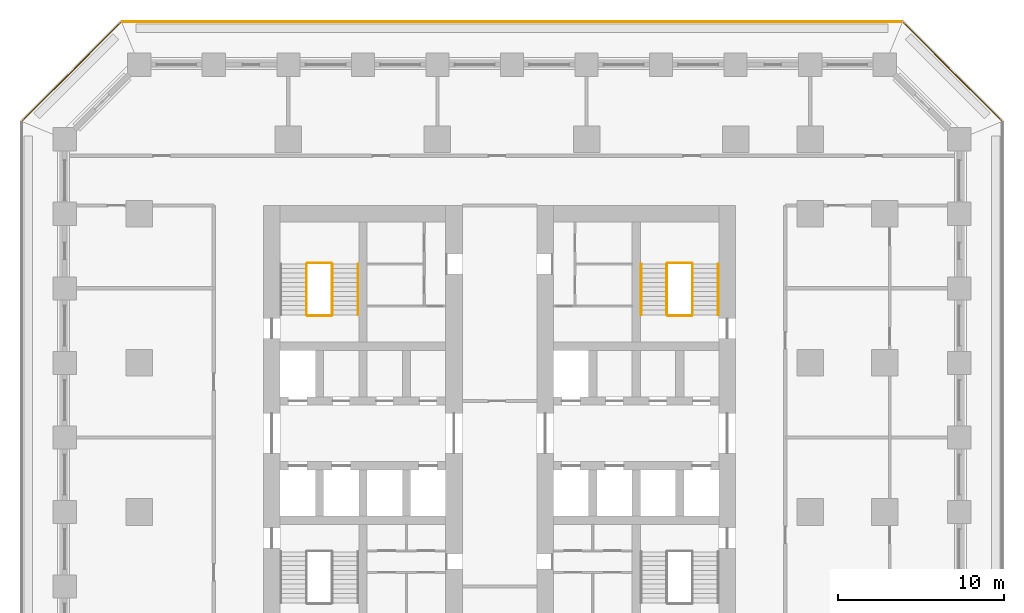
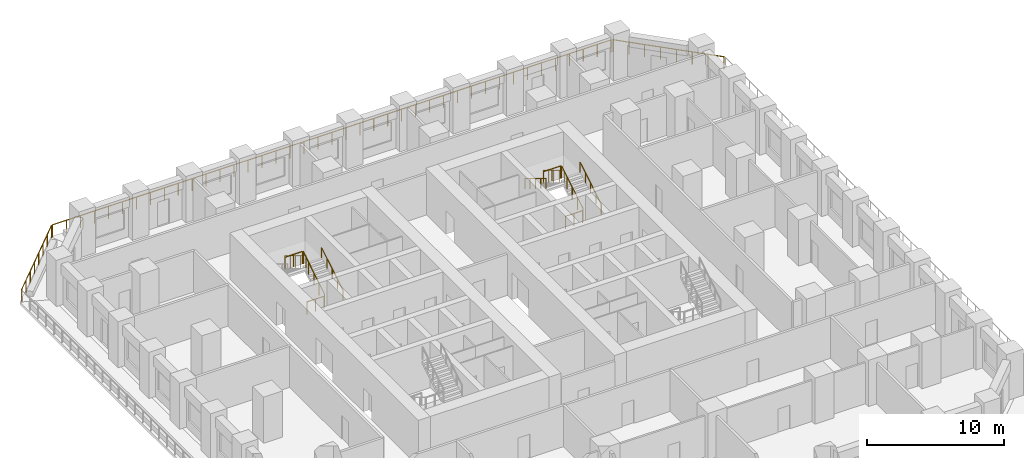
# One storey, part 10 of 11: 14 railings.
"""IFC4 building model written with IfcOpenShell, lengths in metres."""

from ifc_helpers import new_model, si_unit, direction, frame, origin, origin_2d, place, context, subcontext, project, spatial, circle, extrude, material, type_object, element, save


model = new_model("IFC4")

# Units and contexts
model_context = context("Model", 3, precision=1e-05, world=origin(), true_north=direction((0.0, 1.0)))
body_context = subcontext(model_context, "Body", "Model", "MODEL_VIEW")
ifc_project = project(units=[si_unit("LENGTHUNIT", "METRE"), si_unit("AREAUNIT", "SQUARE_METRE"), si_unit("VOLUMEUNIT", "CUBIC_METRE"), si_unit("PLANEANGLEUNIT", "RADIAN"), si_unit("MASSUNIT", "GRAM", prefix="KILO")], contexts=[model_context])

# Site, building, storey
site_placement = place(None, origin())
site = spatial("IfcSite", under=ifc_project, at=site_placement, CompositionType="ELEMENT")
building_placement = place(site_placement, origin())
building = spatial("IfcBuilding", under=site, at=building_placement, Name="Corbel Stack Research Tower", CompositionType="ELEMENT")
storey_placement = place(building_placement, frame((0.0, 0.0, 62.39990234375)))
storey = spatial("IfcBuildingStorey", under=building, at=storey_placement, Name="L14", CompositionType="ELEMENT", Elevation=62.39990234375)

# Railings
ifc_material_1 = material(Name="Steel S355", Category="steel")
railing_type_1 = type_object("IfcRailingType", Name="Stair guard 1100", PredefinedType="GUARDRAIL", material=ifc_material_1)
railing_1_placement = place(storey_placement, frame((-6.35009765625, 11.89990234375, 0.1708984375)))
element("IfcRailing", 1, at=railing_1_placement, inside=storey, type_object=railing_type_1, Name="L14 ST-W2 stair guard 1", PredefinedType="GUARDRAIL", context=body_context, shape_type="SweptSolid", body=[
    extrude(circle(Radius=0.02392578125, at=origin_2d()), frame((0.0, 0.0, 1.076171875), z_axis=(0.0, 0.853666305674, 0.52082035152), x_axis=(-1.0, 0.0, 0.0)), (0.0, 0.0, 1.0), 3.608154296875),
    extrude(circle(Radius=0.02099609375, at=origin_2d()), origin(), (0.0, 0.0, 1.0), 1.052001953125),
    extrude(circle(Radius=0.02099609375, at=origin_2d()), frame((0.0, 0.77001953125, 0.4697265625)), (0.0, 0.0, 1.0), 1.052001953125),
    extrude(circle(Radius=0.02099609375, at=origin_2d()), frame((0.0, 1.5400390625, 0.939453125)), (0.0, 0.0, 1.0), 1.052001953125),
    extrude(circle(Radius=0.02099609375, at=origin_2d()), frame((0.0, 2.31005859375, 1.409423828125)), (0.0, 0.0, 1.0), 1.052001953125),
    extrude(circle(Radius=0.02099609375, at=origin_2d()), frame((0.0, 3.080078125, 1.879150390625)), (0.0, 0.0, 1.0), 1.052001953125),
])
railing_2_placement = place(storey_placement, frame((-6.39990234375, 15.030029296875, 2.050048828125)))
element("IfcRailing", 2, at=railing_2_placement, inside=storey, type_object=railing_type_1, Name="L14 ST-W2 stair guard 2", PredefinedType="GUARDRAIL", context=body_context, shape_type="SweptSolid", body=[
    extrude(circle(Radius=0.02392578125, at=origin_2d()), frame((0.0, 0.0, 1.076171875), z_axis=(-1.0, 0.0, 0.0), x_axis=(0.0, -1.0, 0.0)), (0.0, 0.0, 1.0), 1.4501953125),
    extrude(circle(Radius=0.02099609375, at=origin_2d()), origin(), (0.0, 0.0, 1.0), 1.052001953125),
    extrude(circle(Radius=0.02099609375, at=origin_2d()), frame((-0.72509765625, 0.0, 0.0)), (0.0, 0.0, 1.0), 1.052001953125),
    extrude(circle(Radius=0.02099609375, at=origin_2d()), frame((-1.4501953125, 0.0, 0.0)), (0.0, 0.0, 1.0), 1.052001953125),
])
railing_3_placement = place(storey_placement, frame((-7.89990234375, 14.97998046875, 2.220947265625)))
element("IfcRailing", 3, at=railing_3_placement, inside=storey, type_object=railing_type_1, Name="L14 ST-W2 stair guard 3", PredefinedType="GUARDRAIL", context=body_context, shape_type="SweptSolid", body=[
    extrude(circle(Radius=0.02392578125, at=origin_2d()), frame((0.0, 0.0, 1.076171875), z_axis=(0.0, -0.853666305674, 0.52082035152), x_axis=(1.0, 0.0, 0.0)), (0.0, 0.0, 1.0), 3.608154296875),
    extrude(circle(Radius=0.02099609375, at=origin_2d()), origin(), (0.0, 0.0, 1.0), 1.052001953125),
    extrude(circle(Radius=0.02099609375, at=origin_2d()), frame((0.0, -0.77001953125, 0.4697265625)), (0.0, 0.0, 1.0), 1.052001953125),
    extrude(circle(Radius=0.02099609375, at=origin_2d()), frame((0.0, -1.5400390625, 0.939453125)), (0.0, 0.0, 1.0), 1.052001953125),
    extrude(circle(Radius=0.02099609375, at=origin_2d()), frame((0.0, -2.31005859375, 1.409423828125)), (0.0, 0.0, 1.0), 1.052001953125),
    extrude(circle(Radius=0.02099609375, at=origin_2d()), frame((0.0, -3.080078125, 1.879150390625)), (0.0, 0.0, 1.0), 1.052001953125),
])
railing_4_placement = place(storey_placement, frame((-6.39990234375, 11.85009765625, 0.0)))
element("IfcRailing", 4, at=railing_4_placement, inside=storey, type_object=railing_type_1, Name="L14 ST-W2 stair guard 4", PredefinedType="GUARDRAIL", context=body_context, shape_type="SweptSolid", body=[
    extrude(circle(Radius=0.02392578125, at=origin_2d()), frame((0.0, 0.0, 1.076171875), z_axis=(-1.0, 0.0, 0.0), x_axis=(0.0, -1.0, 0.0)), (0.0, 0.0, 1.0), 1.4501953125),
    extrude(circle(Radius=0.02099609375, at=origin_2d()), origin(), (0.0, 0.0, 1.0), 1.052001953125),
    extrude(circle(Radius=0.02099609375, at=origin_2d()), frame((-0.72509765625, 0.0, 0.0)), (0.0, 0.0, 1.0), 1.052001953125),
    extrude(circle(Radius=0.02099609375, at=origin_2d()), frame((-1.4501953125, 0.0, 0.0)), (0.0, 0.0, 1.0), 1.052001953125),
])
railing_5_placement = place(storey_placement, frame((15.39990234375, 11.89990234375, 0.1708984375)))
element("IfcRailing", 5, at=railing_5_placement, inside=storey, type_object=railing_type_1, Name="L14 ST-E2 stair guard 1", PredefinedType="GUARDRAIL", context=body_context, shape_type="SweptSolid", body=[
    extrude(circle(Radius=0.02392578125, at=origin_2d()), frame((0.0, 0.0, 1.076171875), z_axis=(0.0, 0.853666305674, 0.52082035152), x_axis=(-1.0, 0.0, 0.0)), (0.0, 0.0, 1.0), 3.608154296875),
    extrude(circle(Radius=0.02099609375, at=origin_2d()), origin(), (0.0, 0.0, 1.0), 1.052001953125),
    extrude(circle(Radius=0.02099609375, at=origin_2d()), frame((0.0, 0.77001953125, 0.4697265625)), (0.0, 0.0, 1.0), 1.052001953125),
    extrude(circle(Radius=0.02099609375, at=origin_2d()), frame((0.0, 1.5400390625, 0.939453125)), (0.0, 0.0, 1.0), 1.052001953125),
    extrude(circle(Radius=0.02099609375, at=origin_2d()), frame((0.0, 2.31005859375, 1.409423828125)), (0.0, 0.0, 1.0), 1.052001953125),
    extrude(circle(Radius=0.02099609375, at=origin_2d()), frame((0.0, 3.080078125, 1.879150390625)), (0.0, 0.0, 1.0), 1.052001953125),
])
railing_6_placement = place(storey_placement, frame((15.35009765625, 15.030029296875, 2.050048828125)))
element("IfcRailing", 6, at=railing_6_placement, inside=storey, type_object=railing_type_1, Name="L14 ST-E2 stair guard 2", PredefinedType="GUARDRAIL", context=body_context, shape_type="SweptSolid", body=[
    extrude(circle(Radius=0.02392578125, at=origin_2d()), frame((0.0, 0.0, 1.076171875), z_axis=(-1.0, 0.0, 0.0), x_axis=(0.0, -1.0, 0.0)), (0.0, 0.0, 1.0), 1.4501953125),
    extrude(circle(Radius=0.02099609375, at=origin_2d()), origin(), (0.0, 0.0, 1.0), 1.052001953125),
    extrude(circle(Radius=0.02099609375, at=origin_2d()), frame((-0.72509765625, 0.0, 0.0)), (0.0, 0.0, 1.0), 1.052001953125),
    extrude(circle(Radius=0.02099609375, at=origin_2d()), frame((-1.4501953125, 0.0, 0.0)), (0.0, 0.0, 1.0), 1.052001953125),
])
railing_7_placement = place(storey_placement, frame((13.85009765625, 14.97998046875, 2.220947265625)))
element("IfcRailing", 7, at=railing_7_placement, inside=storey, type_object=railing_type_1, Name="L14 ST-E2 stair guard 3", PredefinedType="GUARDRAIL", context=body_context, shape_type="SweptSolid", body=[
    extrude(circle(Radius=0.02392578125, at=origin_2d()), frame((0.0, 0.0, 1.076171875), z_axis=(0.0, -0.853666305674, 0.52082035152), x_axis=(1.0, 0.0, 0.0)), (0.0, 0.0, 1.0), 3.608154296875),
    extrude(circle(Radius=0.02099609375, at=origin_2d()), origin(), (0.0, 0.0, 1.0), 1.052001953125),
    extrude(circle(Radius=0.02099609375, at=origin_2d()), frame((0.0, -0.77001953125, 0.4697265625)), (0.0, 0.0, 1.0), 1.052001953125),
    extrude(circle(Radius=0.02099609375, at=origin_2d()), frame((0.0, -1.5400390625, 0.939453125)), (0.0, 0.0, 1.0), 1.052001953125),
    extrude(circle(Radius=0.02099609375, at=origin_2d()), frame((0.0, -2.31005859375, 1.409423828125)), (0.0, 0.0, 1.0), 1.052001953125),
    extrude(circle(Radius=0.02099609375, at=origin_2d()), frame((0.0, -3.080078125, 1.879150390625)), (0.0, 0.0, 1.0), 1.052001953125),
])
railing_8_placement = place(storey_placement, frame((15.35009765625, 11.85009765625, 0.0)))
element("IfcRailing", 8, at=railing_8_placement, inside=storey, type_object=railing_type_1, Name="L14 ST-E2 stair guard 4", PredefinedType="GUARDRAIL", context=body_context, shape_type="SweptSolid", body=[
    extrude(circle(Radius=0.02392578125, at=origin_2d()), frame((0.0, 0.0, 1.076171875), z_axis=(-1.0, 0.0, 0.0), x_axis=(0.0, -1.0, 0.0)), (0.0, 0.0, 1.0), 1.4501953125),
    extrude(circle(Radius=0.02099609375, at=origin_2d()), origin(), (0.0, 0.0, 1.0), 1.052001953125),
    extrude(circle(Radius=0.02099609375, at=origin_2d()), frame((-0.72509765625, 0.0, 0.0)), (0.0, 0.0, 1.0), 1.052001953125),
    extrude(circle(Radius=0.02099609375, at=origin_2d()), frame((-1.4501953125, 0.0, 0.0)), (0.0, 0.0, 1.0), 1.052001953125),
])
ifc_material_2 = material(Name="Steel S355", Category="steel")
railing_type_2 = type_object("IfcRailingType", Name="Stair handrail 900", PredefinedType="HANDRAIL", material=ifc_material_2)
for number, where, name in (
    (9, (-4.800048828125, 11.89990234375, 0.1708984375), "L14 ST-W2 stair handrail 1"),
    (10, (16.949951171875, 11.89990234375, 0.1708984375), "L14 ST-E2 stair handrail 1"),
):
    element("IfcRailing", number, at=place(storey_placement, frame(where)), inside=storey, type_object=railing_type_2, Name=name, PredefinedType="HANDRAIL", context=body_context, shape_type="SweptSolid", body=[
        extrude(circle(Radius=0.02392578125, at=origin_2d()), frame((0.0, 0.0, 0.8759765625), z_axis=(0.0, 0.853666305674, 0.52082035152), x_axis=(-1.0, 0.0, 0.0)), (0.0, 0.0, 1.0), 3.608154296875),
        extrude(circle(Radius=0.02099609375, at=origin_2d()), origin(), (0.0, 0.0, 1.0), 0.851806640625),
        extrude(circle(Radius=0.02099609375, at=origin_2d()), frame((0.0, 0.77001953125, 0.4697265625)), (0.0, 0.0, 1.0), 0.851806640625),
        extrude(circle(Radius=0.02099609375, at=origin_2d()), frame((0.0, 1.5400390625, 0.939453125)), (0.0, 0.0, 1.0), 0.851806640625),
        extrude(circle(Radius=0.02099609375, at=origin_2d()), frame((0.0, 2.31005859375, 1.409423828125)), (0.0, 0.0, 1.0), 0.851806640625),
        extrude(circle(Radius=0.02099609375, at=origin_2d()), frame((0.0, 3.080078125, 1.879150390625)), (0.0, 0.0, 1.0), 0.851806640625),
    ])
railing_9_placement = place(storey_placement, frame((12.300048828125, 14.97998046875, 2.220947265625)))
element("IfcRailing", 11, at=railing_9_placement, inside=storey, type_object=railing_type_2, Name="L14 ST-E2 stair handrail 2", PredefinedType="HANDRAIL", context=body_context, shape_type="SweptSolid", body=[
    extrude(circle(Radius=0.02392578125, at=origin_2d()), frame((0.0, 0.0, 0.8759765625), z_axis=(0.0, -0.853666305674, 0.52082035152), x_axis=(1.0, 0.0, 0.0)), (0.0, 0.0, 1.0), 3.608154296875),
    extrude(circle(Radius=0.02099609375, at=origin_2d()), origin(), (0.0, 0.0, 1.0), 0.851806640625),
    extrude(circle(Radius=0.02099609375, at=origin_2d()), frame((0.0, -0.77001953125, 0.4697265625)), (0.0, 0.0, 1.0), 0.851806640625),
    extrude(circle(Radius=0.02099609375, at=origin_2d()), frame((0.0, -1.5400390625, 0.939453125)), (0.0, 0.0, 1.0), 0.851806640625),
    extrude(circle(Radius=0.02099609375, at=origin_2d()), frame((0.0, -2.31005859375, 1.409423828125)), (0.0, 0.0, 1.0), 0.851806640625),
    extrude(circle(Radius=0.02099609375, at=origin_2d()), frame((0.0, -3.080078125, 1.879150390625)), (0.0, 0.0, 1.0), 0.851806640625),
])
ifc_material_3 = material(Name="Powder-coated steel guard", Category="steel")
railing_type_3 = type_object("IfcRailingType", Name="Steel and glass guard 1100", PredefinedType="GUARDRAIL", material=ifc_material_3)
railing_10_placement = place(storey_placement, frame((34.04931640625, 23.627685546875, 0.0)))
element("IfcRailing", 12, at=railing_10_placement, inside=storey, type_object=railing_type_3, Name="Loggia guard L14 NE", PredefinedType="GUARDRAIL", context=body_context, shape_type="SweptSolid", body=[
    extrude(circle(Radius=0.02392578125, at=origin_2d()), frame((0.0, 0.0, 1.076171875), z_axis=(-0.707106781187, 0.707106781187, 0.0), x_axis=(-0.707106781187, -0.707106781187, 0.0)), (0.0, 0.0, 1.0), 8.37451171875),
    extrude(circle(Radius=0.02099609375, at=origin_2d()), origin(), (0.0, 0.0, 1.0), 1.052001953125),
    extrude(circle(Radius=0.02099609375, at=origin_2d()), frame((-0.845947265625, 0.845947265625, 0.0)), (0.0, 0.0, 1.0), 1.052001953125),
    extrude(circle(Radius=0.02099609375, at=origin_2d()), frame((-1.69189453125, 1.69189453125, 0.0)), (0.0, 0.0, 1.0), 1.052001953125),
    extrude(circle(Radius=0.02099609375, at=origin_2d()), frame((-2.537841796875, 2.537841796875, 0.0)), (0.0, 0.0, 1.0), 1.052001953125),
    extrude(circle(Radius=0.02099609375, at=origin_2d()), frame((-3.3837890625, 3.3837890625, 0.0)), (0.0, 0.0, 1.0), 1.052001953125),
    extrude(circle(Radius=0.02099609375, at=origin_2d()), frame((-4.229736328125, 4.229736328125, 0.0)), (0.0, 0.0, 1.0), 1.052001953125),
    extrude(circle(Radius=0.02099609375, at=origin_2d()), frame((-5.07568359375, 5.07568359375, 0.0)), (0.0, 0.0, 1.0), 1.052001953125),
    extrude(circle(Radius=0.02099609375, at=origin_2d()), frame((-5.921630859375, 5.921630859375, 0.0)), (0.0, 0.0, 1.0), 1.052001953125),
])
railing_11_placement = place(storey_placement, frame((28.00537109375, 29.60009765625, 0.0)))
element("IfcRailing", 13, at=railing_11_placement, inside=storey, type_object=railing_type_3, Name="Loggia guard L14 N", PredefinedType="GUARDRAIL", context=body_context, shape_type="SweptSolid", body=[
    extrude(circle(Radius=0.02392578125, at=origin_2d()), frame((0.0, 0.0, 1.076171875), z_axis=(-1.0, 0.0, 0.0), x_axis=(0.0, -1.0, 0.0)), (0.0, 0.0, 1.0), 47.0107421875),
    extrude(circle(Radius=0.02099609375, at=origin_2d()), origin(), (0.0, 0.0, 1.0), 1.052001953125),
    extrude(circle(Radius=0.02099609375, at=origin_2d()), frame((-1.17529296875, 0.0, 0.0)), (0.0, 0.0, 1.0), 1.052001953125),
    extrude(circle(Radius=0.02099609375, at=origin_2d()), frame((-2.3505859375, 0.0, 0.0)), (0.0, 0.0, 1.0), 1.052001953125),
    extrude(circle(Radius=0.02099609375, at=origin_2d()), frame((-3.52587890625, 0.0, 0.0)), (0.0, 0.0, 1.0), 1.052001953125),
    extrude(circle(Radius=0.02099609375, at=origin_2d()), frame((-4.701171875, 0.0, 0.0)), (0.0, 0.0, 1.0), 1.052001953125),
    extrude(circle(Radius=0.02099609375, at=origin_2d()), frame((-5.87646484375, 0.0, 0.0)), (0.0, 0.0, 1.0), 1.052001953125),
    extrude(circle(Radius=0.02099609375, at=origin_2d()), frame((-7.051513671875, 0.0, 0.0)), (0.0, 0.0, 1.0), 1.052001953125),
    extrude(circle(Radius=0.02099609375, at=origin_2d()), frame((-8.226806640625, 0.0, 0.0)), (0.0, 0.0, 1.0), 1.052001953125),
    extrude(circle(Radius=0.02099609375, at=origin_2d()), frame((-9.402099609375, 0.0, 0.0)), (0.0, 0.0, 1.0), 1.052001953125),
    extrude(circle(Radius=0.02099609375, at=origin_2d()), frame((-10.577392578125, 0.0, 0.0)), (0.0, 0.0, 1.0), 1.052001953125),
    extrude(circle(Radius=0.02099609375, at=origin_2d()), frame((-11.752685546875, 0.0, 0.0)), (0.0, 0.0, 1.0), 1.052001953125),
    extrude(circle(Radius=0.02099609375, at=origin_2d()), frame((-12.927978515625, 0.0, 0.0)), (0.0, 0.0, 1.0), 1.052001953125),
    extrude(circle(Radius=0.02099609375, at=origin_2d()), frame((-14.103271484375, 0.0, 0.0)), (0.0, 0.0, 1.0), 1.052001953125),
    extrude(circle(Radius=0.02099609375, at=origin_2d()), frame((-15.278564453125, 0.0, 0.0)), (0.0, 0.0, 1.0), 1.052001953125),
    extrude(circle(Radius=0.02099609375, at=origin_2d()), frame((-16.453857421875, 0.0, 0.0)), (0.0, 0.0, 1.0), 1.052001953125),
    extrude(circle(Radius=0.02099609375, at=origin_2d()), frame((-17.62890625, 0.0, 0.0)), (0.0, 0.0, 1.0), 1.052001953125),
    extrude(circle(Radius=0.02099609375, at=origin_2d()), frame((-18.80419921875, 0.0, 0.0)), (0.0, 0.0, 1.0), 1.052001953125),
    extrude(circle(Radius=0.02099609375, at=origin_2d()), frame((-19.9794921875, 0.0, 0.0)), (0.0, 0.0, 1.0), 1.052001953125),
    extrude(circle(Radius=0.02099609375, at=origin_2d()), frame((-21.15478515625, 0.0, 0.0)), (0.0, 0.0, 1.0), 1.052001953125),
    extrude(circle(Radius=0.02099609375, at=origin_2d()), frame((-22.330078125, 0.0, 0.0)), (0.0, 0.0, 1.0), 1.052001953125),
    extrude(circle(Radius=0.02099609375, at=origin_2d()), frame((-23.50537109375, 0.0, 0.0)), (0.0, 0.0, 1.0), 1.052001953125),
    extrude(circle(Radius=0.02099609375, at=origin_2d()), frame((-24.6806640625, 0.0, 0.0)), (0.0, 0.0, 1.0), 1.052001953125),
    extrude(circle(Radius=0.02099609375, at=origin_2d()), frame((-25.85595703125, 0.0, 0.0)), (0.0, 0.0, 1.0), 1.052001953125),
    extrude(circle(Radius=0.02099609375, at=origin_2d()), frame((-27.03125, 0.0, 0.0)), (0.0, 0.0, 1.0), 1.052001953125),
    extrude(circle(Radius=0.02099609375, at=origin_2d()), frame((-28.20654296875, 0.0, 0.0)), (0.0, 0.0, 1.0), 1.052001953125),
    extrude(circle(Radius=0.02099609375, at=origin_2d()), frame((-29.3818359375, 0.0, 0.0)), (0.0, 0.0, 1.0), 1.052001953125),
    extrude(circle(Radius=0.02099609375, at=origin_2d()), frame((-30.556884765625, 0.0, 0.0)), (0.0, 0.0, 1.0), 1.052001953125),
    extrude(circle(Radius=0.02099609375, at=origin_2d()), frame((-31.732177734375, 0.0, 0.0)), (0.0, 0.0, 1.0), 1.052001953125),
    extrude(circle(Radius=0.02099609375, at=origin_2d()), frame((-32.907470703125, 0.0, 0.0)), (0.0, 0.0, 1.0), 1.052001953125),
    extrude(circle(Radius=0.02099609375, at=origin_2d()), frame((-34.082763671875, 0.0, 0.0)), (0.0, 0.0, 1.0), 1.052001953125),
    extrude(circle(Radius=0.02099609375, at=origin_2d()), frame((-35.258056640625, 0.0, 0.0)), (0.0, 0.0, 1.0), 1.052001953125),
    extrude(circle(Radius=0.02099609375, at=origin_2d()), frame((-36.433349609375, 0.0, 0.0)), (0.0, 0.0, 1.0), 1.052001953125),
    extrude(circle(Radius=0.02099609375, at=origin_2d()), frame((-37.608642578125, 0.0, 0.0)), (0.0, 0.0, 1.0), 1.052001953125),
    extrude(circle(Radius=0.02099609375, at=origin_2d()), frame((-38.783935546875, 0.0, 0.0)), (0.0, 0.0, 1.0), 1.052001953125),
    extrude(circle(Radius=0.02099609375, at=origin_2d()), frame((-39.959228515625, 0.0, 0.0)), (0.0, 0.0, 1.0), 1.052001953125),
    extrude(circle(Radius=0.02099609375, at=origin_2d()), frame((-41.13427734375, 0.0, 0.0)), (0.0, 0.0, 1.0), 1.052001953125),
    extrude(circle(Radius=0.02099609375, at=origin_2d()), frame((-42.3095703125, 0.0, 0.0)), (0.0, 0.0, 1.0), 1.052001953125),
    extrude(circle(Radius=0.02099609375, at=origin_2d()), frame((-43.48486328125, 0.0, 0.0)), (0.0, 0.0, 1.0), 1.052001953125),
    extrude(circle(Radius=0.02099609375, at=origin_2d()), frame((-44.66015625, 0.0, 0.0)), (0.0, 0.0, 1.0), 1.052001953125),
    extrude(circle(Radius=0.02099609375, at=origin_2d()), frame((-45.83544921875, 0.0, 0.0)), (0.0, 0.0, 1.0), 1.052001953125),
    extrude(circle(Radius=0.02099609375, at=origin_2d()), frame((-47.0107421875, 0.0, 0.0)), (0.0, 0.0, 1.0), 1.052001953125),
])
railing_12_placement = place(storey_placement, frame((-19.127685546875, 29.54931640625, 0.0)))
element("IfcRailing", 14, at=railing_12_placement, inside=storey, type_object=railing_type_3, Name="Loggia guard L14 NW", PredefinedType="GUARDRAIL", context=body_context, shape_type="SweptSolid", body=[
    extrude(circle(Radius=0.02392578125, at=origin_2d()), frame((0.0, 0.0, 1.076171875), z_axis=(-0.707106781187, -0.707106781187, 0.0), x_axis=(0.707106781187, -0.707106781187, 0.0)), (0.0, 0.0, 1.0), 8.37451171875),
    extrude(circle(Radius=0.02099609375, at=origin_2d()), origin(), (0.0, 0.0, 1.0), 1.052001953125),
    extrude(circle(Radius=0.02099609375, at=origin_2d()), frame((-0.845947265625, -0.845947265625, 0.0)), (0.0, 0.0, 1.0), 1.052001953125),
    extrude(circle(Radius=0.02099609375, at=origin_2d()), frame((-1.69189453125, -1.69189453125, 0.0)), (0.0, 0.0, 1.0), 1.052001953125),
    extrude(circle(Radius=0.02099609375, at=origin_2d()), frame((-2.537841796875, -2.537841796875, 0.0)), (0.0, 0.0, 1.0), 1.052001953125),
    extrude(circle(Radius=0.02099609375, at=origin_2d()), frame((-3.3837890625, -3.3837890625, 0.0)), (0.0, 0.0, 1.0), 1.052001953125),
    extrude(circle(Radius=0.02099609375, at=origin_2d()), frame((-4.229736328125, -4.229736328125, 0.0)), (0.0, 0.0, 1.0), 1.052001953125),
    extrude(circle(Radius=0.02099609375, at=origin_2d()), frame((-5.07568359375, -5.07568359375, 0.0)), (0.0, 0.0, 1.0), 1.052001953125),
    extrude(circle(Radius=0.02099609375, at=origin_2d()), frame((-5.921630859375, -5.921630859375, 0.0)), (0.0, 0.0, 1.0), 1.052001953125),
])

save(model, "model.ifc")
